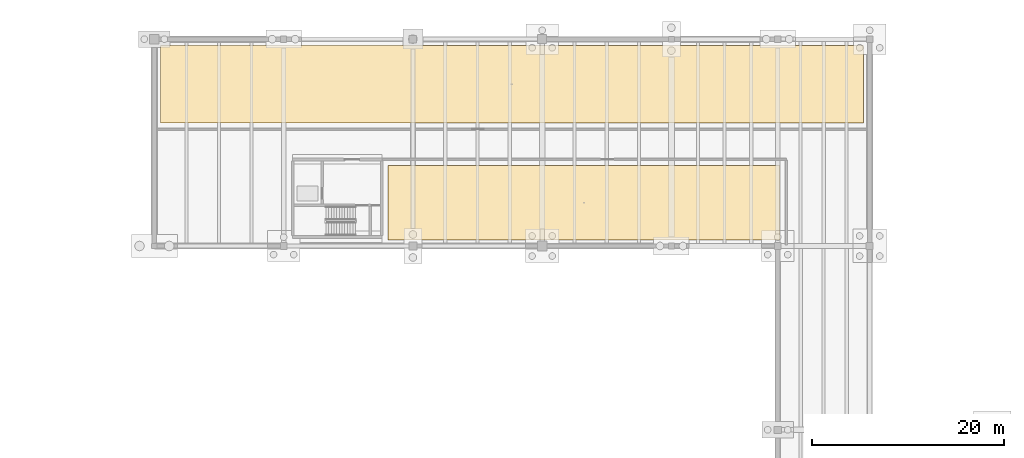
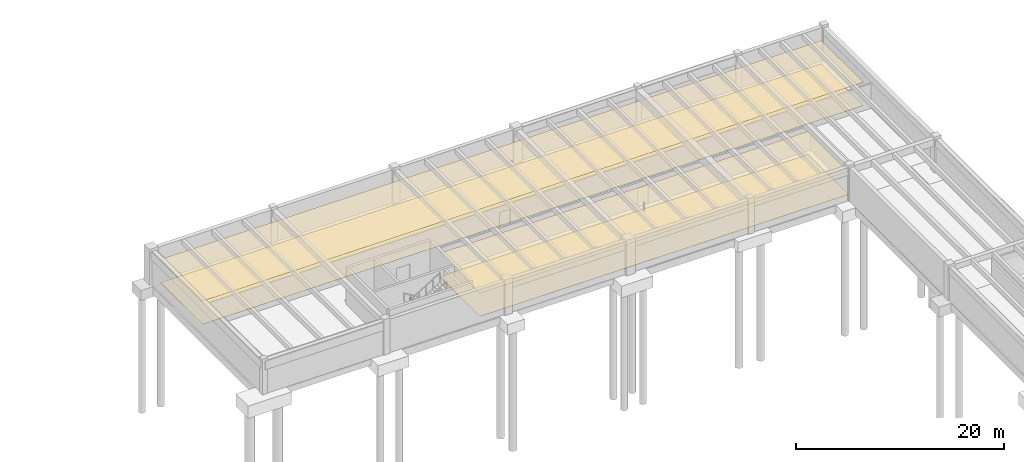
# One storey, part 38 of 41: 4 coverings.
"""IFC4 building model written with IfcOpenShell, lengths in metres."""

import ifcopenshell
import ifcopenshell.guid

model = None  # the IFC model being written
_history = None  # IfcOwnerHistory: only IFC2X3 demands one
_inside = {}  # id of a spatial element -> (the spatial element, [elements in it])
_under = {}  # id of a project, library or spatial element -> (it, [spatial elements below it])
_declared = {}  # id of a project -> (the project, [libraries it declares])
_typed = {}  # id of a type object -> (the type object, [elements of that type])
_made_of = {}  # id of a material, layer set ... -> (it, [elements and type objects made of it])


def new_model(schema):
    """Start an empty IFC model of exactly this schema.

    Asked for "IFC4X3", IfcOpenShell would pick the latest addendum, in which some entities
    have other attributes; the version numbers below select the first issue.
    IFC2X3 requires an IfcOwnerHistory on every rooted entity: one is made here for all.
    """
    global model, _history
    if schema == "IFC4X3":
        model = ifcopenshell.file(schema_version=(4, 3, 0, 0))
    else:
        model = ifcopenshell.file(schema=schema)
    _inside.clear()
    _under.clear()
    _declared.clear()
    _typed.clear()
    _made_of.clear()
    _history = None
    if model.schema == "IFC2X3":
        org = make("IfcOrganization", Name="unknown")
        user = make(
            "IfcPersonAndOrganization",
            ThePerson=make("IfcPerson", FamilyName="unknown"),
            TheOrganization=org,
        )
        app = make(
            "IfcApplication",
            ApplicationDeveloper=org,
            Version="unknown",
            ApplicationFullName="unknown",
            ApplicationIdentifier="unknown",
        )
        _history = make(
            "IfcOwnerHistory",
            OwningUser=user,
            OwningApplication=app,
            ChangeAction="ADDED",
            CreationDate=0,
        )
    return model


def make(cls, **values):
    """One entity of the class cls with the attributes given. An attribute that is None is left unset."""
    return model.create_entity(
        cls, **{name: value for name, value in values.items() if value is not None}
    )


def rooted(cls, **values):
    """An entity with a GlobalId (a new one), such as an element, a storey or a relation."""
    return make(cls, GlobalId=ifcopenshell.guid.new(), OwnerHistory=_history, **values)


def si_unit(unit_type, name, prefix=None):
    """IfcSIUnit, for example si_unit("LENGTHUNIT", "METRE", prefix="MILLI")."""
    return make("IfcSIUnit", UnitType=unit_type, Prefix=prefix, Name=name)


def assignment(units):
    """IfcUnitAssignment: the units of a project."""
    return None if units is None else make("IfcUnitAssignment", Units=units)


def point(xyz):
    """IfcCartesianPoint."""
    return None if xyz is None else make("IfcCartesianPoint", Coordinates=xyz)


def direction(xyz):
    """IfcDirection."""
    return None if xyz is None else make("IfcDirection", DirectionRatios=xyz)


def frame(location, z_axis=None, x_axis=None):
    """IfcAxis2Placement3D, a coordinate frame: its origin and axes. An axis left out is left unset."""
    return make(
        "IfcAxis2Placement3D",
        Location=point(location),
        Axis=direction(z_axis),
        RefDirection=direction(x_axis),
    )


def origin():
    """The frame at (0, 0, 0) with its axes left unset."""
    return frame((0.0, 0.0, 0.0))


def place(relative_to, where):
    """IfcLocalPlacement: puts the frame where relative to a parent placement (None: the world)."""
    return make(
        "IfcLocalPlacement", PlacementRelTo=relative_to, RelativePlacement=where
    )


def context(
    kind, dimensions, precision=None, world=None, true_north=None, identifier=None
):
    """IfcGeometricRepresentationContext, for example the 3D "Model" context."""
    return make(
        "IfcGeometricRepresentationContext",
        ContextIdentifier=identifier,
        ContextType=kind,
        CoordinateSpaceDimension=dimensions,
        Precision=precision,
        WorldCoordinateSystem=world,
        TrueNorth=true_north,
    )


def subcontext(parent, identifier, kind, view, scale=None):
    """IfcGeometricRepresentationSubContext, for example "Body" below "Model"."""
    return make(
        "IfcGeometricRepresentationSubContext",
        ContextIdentifier=identifier,
        ContextType=kind,
        ParentContext=parent,
        TargetScale=scale,
        TargetView=view,
    )


def project(units=None, contexts=None):
    """IfcProject with its units and contexts."""
    return rooted(
        "IfcProject",
        Name="project",
        RepresentationContexts=contexts,
        UnitsInContext=assignment(units),
    )


def spatial(cls, under=None, at=None, **own):
    """A site, building, storey or space (cls), placed at a placement, below another one or the project."""
    s = rooted(cls, ObjectPlacement=at, **own)
    if under is not None:
        _under.setdefault(under.id(), (under, []))[1].append(s)
    return s


def polyline(points):
    """IfcPolyline through the points."""
    return make("IfcPolyline", Points=[point(p) for p in points])


def outline(outer, holes=None, kind="AREA"):
    """IfcArbitraryClosedProfileDef: a profile drawn as a closed curve; with holes, ...WithVoids."""
    if holes is None:
        return make("IfcArbitraryClosedProfileDef", ProfileType=kind, OuterCurve=outer)
    return make(
        "IfcArbitraryProfileDefWithVoids",
        ProfileType=kind,
        OuterCurve=outer,
        InnerCurves=holes,
    )


def extrude(swept, where, along, depth):
    """IfcExtrudedAreaSolid: the profile swept, set in the frame where, extruded along a direction by depth."""
    return make(
        "IfcExtrudedAreaSolid",
        SweptArea=swept,
        Position=where,
        ExtrudedDirection=direction(along),
        Depth=depth,
    )


def shape(context_of_items, identifier, shape_type, items):
    """IfcShapeRepresentation: the items that make up one representation, for example the "Body"."""
    return make(
        "IfcShapeRepresentation",
        ContextOfItems=context_of_items,
        RepresentationIdentifier=identifier,
        RepresentationType=shape_type,
        Items=items,
    )


def material(Name=None, Category=None):
    """IfcMaterial."""
    return make("IfcMaterial", Name=Name, Category=Category)


def layer(
    of_material, thickness, ventilated=None, Name=None, Category=None, Priority=None
):
    """IfcMaterialLayer: one layer of a wall or slab, of a material (None: an air gap)."""
    return make(
        "IfcMaterialLayer",
        Material=of_material,
        LayerThickness=thickness,
        IsVentilated=ventilated,
        Name=Name,
        Category=Category,
        Priority=Priority,
    )


def layer_set(layers, Name=None):
    """IfcMaterialLayerSet."""
    return make("IfcMaterialLayerSet", MaterialLayers=layers, LayerSetName=Name)


def made_of(thing, what):
    """Note that an element or type object is made of a material, layer set ...; save() writes the relation."""
    if what is not None:
        _made_of.setdefault(what.id(), (what, []))[1].append(thing)
    return thing


def type_object(cls, material=None, **own):
    """A type object (cls), such as IfcWallType, which elements share."""
    return made_of(rooted(cls, **own), material)


def element(
    cls,
    number,
    at=None,
    inside=None,
    cuts=None,
    type_object=None,
    material=None,
    context=None,
    identifier="Body",
    shape_type=None,
    held_by="IfcProductDefinitionShape",
    body=None,
    shapes=None,
    **own,
):
    """One element of the class cls, such as IfcWall. Its Tag is "e" and its number.

    at: its placement. inside: the storey or other place that contains it. cuts: it is an
    opening in that element (IfcRelVoidsElement). A single representation is given by context,
    identifier, shape_type and body (its items); several are given by shapes. held_by: the class
    of the entity that holds the representations. save() writes the other relations.
    """
    e = rooted(cls, Tag="e%d" % number, ObjectPlacement=at, **own)
    if body is not None:
        shapes = [shape(context, identifier, shape_type, body)]
    if shapes is not None:
        e.Representation = make(held_by, Representations=shapes)
    if inside is not None:
        _inside.setdefault(inside.id(), (inside, []))[1].append(e)
    if cuts is not None:
        rooted(
            "IfcRelVoidsElement", RelatingBuildingElement=cuts, RelatedOpeningElement=e
        )
    if type_object is not None:
        _typed.setdefault(type_object.id(), (type_object, []))[1].append(e)
    return made_of(e, material)


def aggregate(whole, parts):
    """IfcRelAggregates: a whole, such as a stair, and the parts it consists of."""
    return rooted("IfcRelAggregates", RelatingObject=whole, RelatedObjects=parts)


def save(model, path):
    """Write the relations noted so far, then the file.

    IfcRelAggregates (storeys below a building ...), IfcRelContainedInSpatialStructure (elements
    in a storey), IfcRelDefinesByType, IfcRelAssociatesMaterial and IfcRelDeclares: one each for
    every whole, place, type object, material and project.
    """
    for whole, parts in _under.values():
        aggregate(whole, parts)
    for where, things in _inside.values():
        rooted(
            "IfcRelContainedInSpatialStructure",
            RelatedElements=things,
            RelatingStructure=where,
        )
    for kind, things in _typed.values():
        rooted("IfcRelDefinesByType", RelatedObjects=things, RelatingType=kind)
    for what, things in _made_of.values():
        rooted("IfcRelAssociatesMaterial", RelatedObjects=things, RelatingMaterial=what)
    for by, libraries in _declared.values():
        rooted("IfcRelDeclares", RelatingContext=by, RelatedDefinitions=libraries)
    model.write(path)


model = new_model("IFC4")

# Units and contexts
model_context = context("Model", 3, precision=1e-05, world=origin(), true_north=direction((0.0, 1.0)))
body_context = subcontext(model_context, "Body", "Model", "MODEL_VIEW")
ifc_project = project(units=[si_unit("LENGTHUNIT", "METRE"), si_unit("AREAUNIT", "SQUARE_METRE"), si_unit("VOLUMEUNIT", "CUBIC_METRE"), si_unit("PLANEANGLEUNIT", "RADIAN"), si_unit("MASSUNIT", "GRAM", prefix="KILO")], contexts=[model_context])

# Site, building, storey
site_placement = place(None, origin())
site = spatial("IfcSite", under=ifc_project, at=site_placement, CompositionType="ELEMENT")
building_placement = place(site_placement, origin())
building = spatial("IfcBuilding", under=site, at=building_placement, Name="Fikremerkos Civic Library", CompositionType="ELEMENT")
storey_placement = place(building_placement, frame((0.0, 0.0, -8.39990234375)))
storey = spatial("IfcBuildingStorey", under=building, at=storey_placement, Name="B02", CompositionType="ELEMENT", Elevation=-8.39990234375)

# Coverings
ifc_material_1 = material(Name="Perforated acoustic cedar timber", Category="wood")
ifc_layer_1 = layer(ifc_material_1, 0.02490234375, Name="Perforated acoustic cedar timber")
ifc_layer_set_1 = layer_set([ifc_layer_1], Name="Perforated acoustic cedar timber")
covering_type_1 = type_object("IfcCoveringType", Name="Acoustic perforated timber ceiling CLG-01", PredefinedType="CEILING", material=ifc_layer_set_1)
covering_1_placement = place(storey_placement, frame((0.0, 0.0, 2.72998046875)))
element("IfcCovering", 1, at=covering_1_placement, inside=storey, type_object=covering_type_1, Name="Acoustic ceiling Compact Archive Stacks North", PredefinedType="CEILING", context=body_context, shape_type="SweptSolid", body=[
    extrude(outline(polyline([(60.35009765625, 108.85009765625), (60.35009765625, 116.949951171875), (133.75, 116.949951171875), (133.75, 108.85009765625), (60.35009765625, 108.85009765625)])), origin(), (0.0, 0.0, 1.0), 0.02490234375),
])
covering_2_placement = place(storey_placement, frame((0.0, 0.0, 2.72998046875)))
element("IfcCovering", 2, at=covering_2_placement, inside=storey, type_object=covering_type_1, Name="Acoustic ceiling Newspaper Bound Volumes Vault", PredefinedType="CEILING", context=body_context, shape_type="SweptSolid", body=[
    extrude(outline(polyline([(84.10009765625, 96.64990234375), (84.10009765625, 104.39990234375), (125.050048828125, 104.39990234375), (125.050048828125, 96.64990234375), (84.10009765625, 96.64990234375)])), origin(), (0.0, 0.0, 1.0), 0.02490234375),
])
ifc_material_2 = material(Name="Polished basalt terrazzo", Category="masonry")
ifc_layer_2 = layer(ifc_material_2, 0.030029296875, Name="Polished basalt terrazzo")
ifc_layer_set_2 = layer_set([ifc_layer_2], Name="Polished basalt terrazzo")
covering_type_2 = type_object("IfcCoveringType", Name="Polished basalt terrazzo flooring FLR-01", PredefinedType="FLOORING", material=ifc_layer_set_2)
covering_3_placement = place(storey_placement, origin())
element("IfcCovering", 3, at=covering_3_placement, inside=storey, type_object=covering_type_2, Name="Terrazzo floor finish Compact Archive Stacks North", PredefinedType="FLOORING", context=body_context, shape_type="SweptSolid", body=[
    extrude(outline(polyline([(60.35009765625, 108.85009765625), (60.35009765625, 116.949951171875), (133.75, 116.949951171875), (133.75, 108.85009765625), (60.35009765625, 108.85009765625)])), origin(), (0.0, 0.0, 1.0), 0.02978515625),
])
covering_4_placement = place(storey_placement, origin())
element("IfcCovering", 4, at=covering_4_placement, inside=storey, type_object=covering_type_2, Name="Terrazzo floor finish Newspaper Bound Volumes Vault", PredefinedType="FLOORING", context=body_context, shape_type="SweptSolid", body=[
    extrude(outline(polyline([(84.10009765625, 96.64990234375), (84.10009765625, 104.39990234375), (125.050048828125, 104.39990234375), (125.050048828125, 96.64990234375), (84.10009765625, 96.64990234375)])), origin(), (0.0, 0.0, 1.0), 0.02978515625),
])

save(model, "model.ifc")
